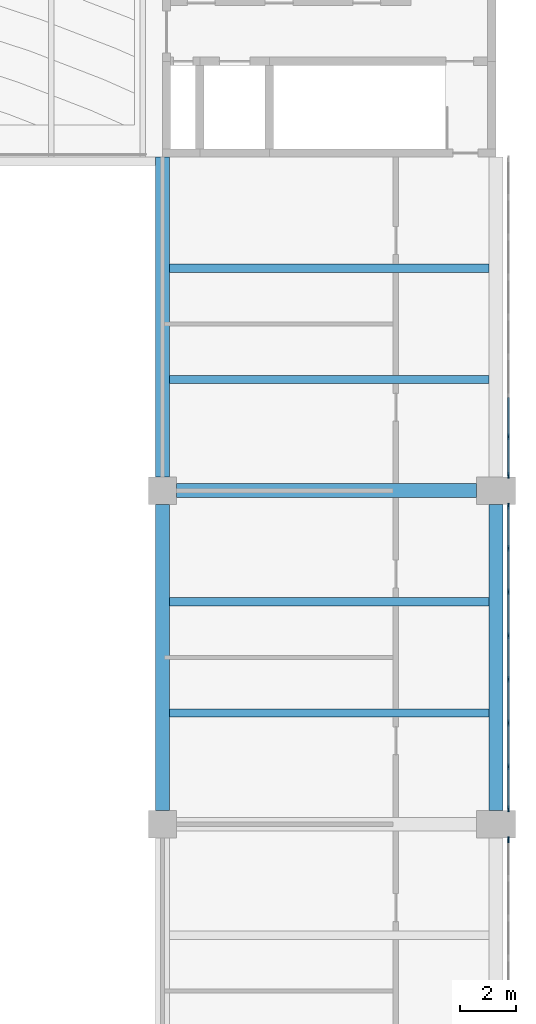
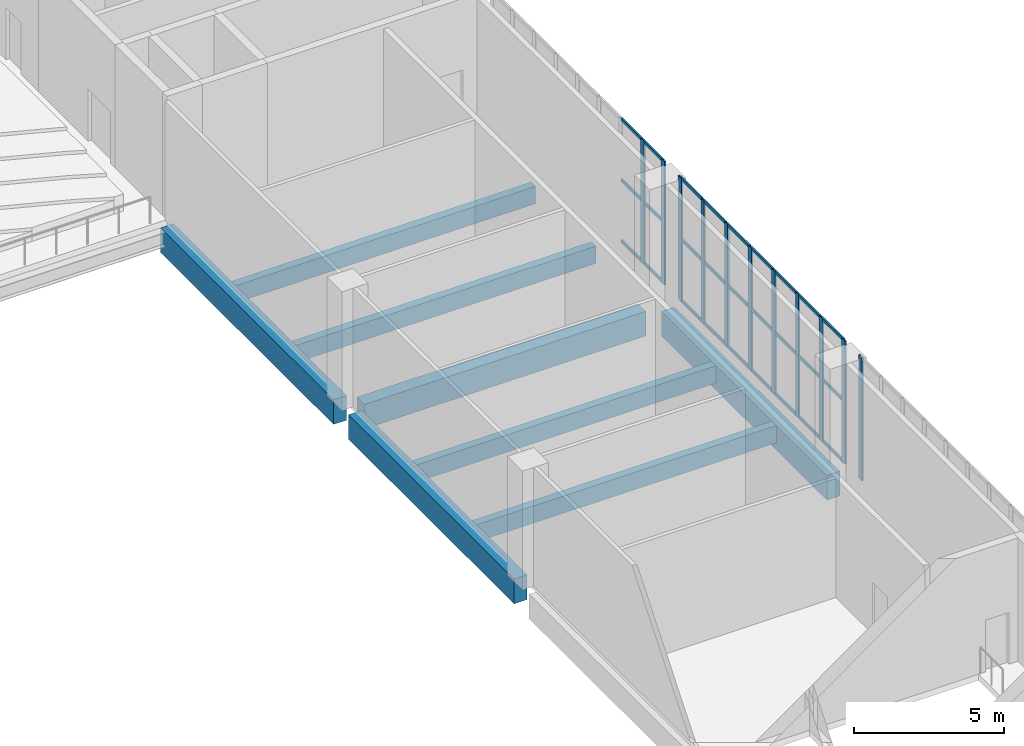
# One storey, part 27 of 69: 38 members, 8 beams, 3 elements without a shape of their own.
"""IFC4 building model written with IfcOpenShell, lengths in metres."""

from ifc_helpers import new_model, si_unit, direction, frame, origin, origin_2d, place, context, subcontext, project, spatial, rectangle, extrude, material, layer, layer_set, material_profile, profile_set, type_object, element, aggregate, save


model = new_model("IFC4")

# Units and contexts
model_context = context("Model", 3, precision=1e-05, world=origin(), true_north=direction((0.0, 1.0)))
body_context = subcontext(model_context, "Body", "Model", "MODEL_VIEW")
ifc_project = project(units=[si_unit("LENGTHUNIT", "METRE"), si_unit("AREAUNIT", "SQUARE_METRE"), si_unit("VOLUMEUNIT", "CUBIC_METRE"), si_unit("PLANEANGLEUNIT", "RADIAN"), si_unit("MASSUNIT", "GRAM", prefix="KILO")], contexts=[model_context])

# Site, building, storey
site_placement = place(None, origin())
site = spatial("IfcSite", under=ifc_project, at=site_placement, CompositionType="ELEMENT")
building_placement = place(site_placement, origin())
building = spatial("IfcBuilding", under=site, at=building_placement, Name="Lilac Gate Convention Centre", CompositionType="ELEMENT")
storey_placement = place(building_placement, frame((0.0, 0.0, 12.0)))
storey = spatial("IfcBuildingStorey", under=building, at=storey_placement, Name="L02", CompositionType="ELEMENT", Elevation=12.0)

# Curtain wall, member
ifc_material_1 = material(Name="Aluminium framed double glazing", Category="aluminium")
ifc_layer = layer(ifc_material_1, 0.199951171875)
ifc_layer_set = layer_set([ifc_layer], Name="Aluminium framed double glazing")
curtain_wall_type = type_object("IfcCurtainWallType", Name="Unitised curtain wall 1500", PredefinedType="NOTDEFINED", material=ifc_layer_set)
curtain_wall_1_placement = place(storey_placement, origin())
curtain_wall_1 = element("IfcCurtainWall", 1, at=curtain_wall_1_placement, inside=storey, type_object=curtain_wall_type, Name="Curtain wall HE L02 7", PredefinedType="NOTDEFINED")
ifc_material_2 = material(Name="Aluminium alloy 6063", Category="aluminium")
ifc_material_profile_1 = material_profile(ifc_material_2, rectangle(XDim=0.06005859375, YDim=0.219970703125, at=origin_2d()), Name="Curtain wall mullion 60 x 220")
ifc_profile_set_1 = profile_set([ifc_material_profile_1], Name="Aluminium alloy 6063")
member_type_1 = type_object("IfcMemberType", Name="Curtain wall mullion 60 x 220", PredefinedType="MULLION", material=ifc_profile_set_1)
member_1_placement = place(storey_placement, frame((90.449951171875, 125.43994140625, 0.0), z_axis=(0.0, 0.0, 1.0), x_axis=(-1.0, 0.0, 0.0)))
member_1 = element("IfcMember", 2, at=member_1_placement, type_object=member_type_1, Name="CW mullion 9", PredefinedType="MULLION", context=body_context, shape_type="SweptSolid", body=[
    extrude(rectangle(XDim=0.06005859375, YDim=0.219970703125, at=origin_2d()), origin(), (0.0, 0.0, 1.0), 5.0),
])
aggregate(curtain_wall_1, [member_1])

# Curtain wall, members
curtain_wall_2_placement = place(storey_placement, origin())
curtain_wall_2 = element("IfcCurtainWall", 3, at=curtain_wall_2_placement, inside=storey, type_object=curtain_wall_type, Name="Curtain wall HE L02 8", PredefinedType="NOTDEFINED")
member_2_placement = place(storey_placement, frame((90.449951171875, 126.56005859375, 0.0), z_axis=(0.0, 0.0, 1.0), x_axis=(-1.0, 0.0, 0.0)))
member_2 = element("IfcMember", 4, at=member_2_placement, type_object=member_type_1, Name="CW mullion 1", PredefinedType="MULLION", context=body_context, shape_type="SweptSolid", body=[
    extrude(rectangle(XDim=0.06005859375, YDim=0.219970703125, at=origin_2d()), origin(), (0.0, 0.0, 1.0), 5.0),
])
member_3_placement = place(storey_placement, frame((90.449951171875, 128.071533203125, 0.0), z_axis=(0.0, 0.0, 1.0), x_axis=(-1.0, 0.0, 0.0)))
member_3 = element("IfcMember", 5, at=member_3_placement, type_object=member_type_1, Name="CW mullion 2", PredefinedType="MULLION", context=body_context, shape_type="SweptSolid", body=[
    extrude(rectangle(XDim=0.06005859375, YDim=0.219970703125, at=origin_2d()), origin(), (0.0, 0.0, 1.0), 5.0),
])
member_4_placement = place(storey_placement, frame((90.449951171875, 129.642822265625, 0.0), z_axis=(0.0, 0.0, 1.0), x_axis=(-1.0, 0.0, 0.0)))
member_4 = element("IfcMember", 6, at=member_4_placement, type_object=member_type_1, Name="CW mullion 3", PredefinedType="MULLION", context=body_context, shape_type="SweptSolid", body=[
    extrude(rectangle(XDim=0.06005859375, YDim=0.219970703125, at=origin_2d()), origin(), (0.0, 0.0, 1.0), 5.0),
])
member_5_placement = place(storey_placement, frame((90.449951171875, 131.21435546875, 0.0), z_axis=(0.0, 0.0, 1.0), x_axis=(-1.0, 0.0, 0.0)))
member_5 = element("IfcMember", 7, at=member_5_placement, type_object=member_type_1, Name="CW mullion 4", PredefinedType="MULLION", context=body_context, shape_type="SweptSolid", body=[
    extrude(rectangle(XDim=0.06005859375, YDim=0.219970703125, at=origin_2d()), origin(), (0.0, 0.0, 1.0), 5.0),
])
member_6_placement = place(storey_placement, frame((90.449951171875, 132.78564453125, 0.0), z_axis=(0.0, 0.0, 1.0), x_axis=(-1.0, 0.0, 0.0)))
member_6 = element("IfcMember", 8, at=member_6_placement, type_object=member_type_1, Name="CW mullion 5", PredefinedType="MULLION", context=body_context, shape_type="SweptSolid", body=[
    extrude(rectangle(XDim=0.06005859375, YDim=0.219970703125, at=origin_2d()), origin(), (0.0, 0.0, 1.0), 5.0),
])
member_7_placement = place(storey_placement, frame((90.449951171875, 134.357177734375, 0.0), z_axis=(0.0, 0.0, 1.0), x_axis=(-1.0, 0.0, 0.0)))
member_7 = element("IfcMember", 9, at=member_7_placement, type_object=member_type_1, Name="CW mullion 6", PredefinedType="MULLION", context=body_context, shape_type="SweptSolid", body=[
    extrude(rectangle(XDim=0.06005859375, YDim=0.219970703125, at=origin_2d()), origin(), (0.0, 0.0, 1.0), 5.0),
])
member_8_placement = place(storey_placement, frame((90.449951171875, 135.928466796875, 0.0), z_axis=(0.0, 0.0, 1.0), x_axis=(-1.0, 0.0, 0.0)))
member_8 = element("IfcMember", 10, at=member_8_placement, type_object=member_type_1, Name="CW mullion 7", PredefinedType="MULLION", context=body_context, shape_type="SweptSolid", body=[
    extrude(rectangle(XDim=0.06005859375, YDim=0.219970703125, at=origin_2d()), origin(), (0.0, 0.0, 1.0), 5.0),
])
member_9_placement = place(storey_placement, frame((90.449951171875, 137.43994140625, 0.0), z_axis=(0.0, 0.0, 1.0), x_axis=(-1.0, 0.0, 0.0)))
member_9 = element("IfcMember", 11, at=member_9_placement, type_object=member_type_1, Name="CW mullion 8", PredefinedType="MULLION", context=body_context, shape_type="SweptSolid", body=[
    extrude(rectangle(XDim=0.06005859375, YDim=0.219970703125, at=origin_2d()), origin(), (0.0, 0.0, 1.0), 5.0),
])

curtain_wall_3_placement = place(storey_placement, origin())
curtain_wall_3 = element("IfcCurtainWall", 12, at=curtain_wall_3_placement, inside=storey, type_object=curtain_wall_type, Name="Curtain wall HE L02 9", PredefinedType="NOTDEFINED")
member_10_placement = place(storey_placement, frame((90.449951171875, 138.56005859375, 0.0), z_axis=(0.0, 0.0, 1.0), x_axis=(-1.0, 0.0, 0.0)))
member_10 = element("IfcMember", 13, at=member_10_placement, type_object=member_type_1, Name="CW mullion 1", PredefinedType="MULLION", context=body_context, shape_type="SweptSolid", body=[
    extrude(rectangle(XDim=0.06005859375, YDim=0.219970703125, at=origin_2d()), origin(), (0.0, 0.0, 1.0), 5.0),
])
member_11_placement = place(storey_placement, frame((90.449951171875, 139.9375, 0.0), z_axis=(0.0, 0.0, 1.0), x_axis=(-1.0, 0.0, 0.0)))
member_11 = element("IfcMember", 14, at=member_11_placement, type_object=member_type_1, Name="CW mullion 2", PredefinedType="MULLION", context=body_context, shape_type="SweptSolid", body=[
    extrude(rectangle(XDim=0.06005859375, YDim=0.219970703125, at=origin_2d()), origin(), (0.0, 0.0, 1.0), 5.0),
])

# Member
ifc_material_profile_2 = material_profile(ifc_material_2, rectangle(XDim=0.06005859375, YDim=0.1201171875, at=origin_2d()), Name="Curtain wall transom 60 x 120")
ifc_profile_set_2 = profile_set([ifc_material_profile_2], Name="Aluminium alloy 6063")
member_type_2 = type_object("IfcMemberType", Name="Curtain wall transom 60 x 120", PredefinedType="USERDEFINED", material=ifc_profile_set_2)
member_12_placement = place(storey_placement, frame((90.449951171875, 126.56005859375, 0.030029296875), z_axis=(0.0, 1.0, 0.0), x_axis=(-1.0, 0.0, 0.0)))
member_12 = element("IfcMember", 15, at=member_12_placement, type_object=member_type_2, Name="CW transom 1.1", ObjectType="TRANSOM", PredefinedType="USERDEFINED", context=body_context, shape_type="SweptSolid", body=[
    extrude(rectangle(XDim=0.06005859375, YDim=0.1201171875, at=origin_2d()), origin(), (0.0, 0.0, 1.0), 1.4814453125),
])

member_13_placement = place(storey_placement, frame((90.449951171875, 126.56005859375, 2.5), z_axis=(0.0, 1.0, 0.0), x_axis=(-1.0, 0.0, 0.0)))
member_13 = element("IfcMember", 16, at=member_13_placement, type_object=member_type_2, Name="CW transom 1.2", ObjectType="TRANSOM", PredefinedType="USERDEFINED", context=body_context, shape_type="SweptSolid", body=[
    extrude(rectangle(XDim=0.06005859375, YDim=0.1201171875, at=origin_2d()), origin(), (0.0, 0.0, 1.0), 1.4814453125),
])

member_14_placement = place(storey_placement, frame((90.449951171875, 126.56005859375, 4.969970703125), z_axis=(0.0, 1.0, 0.0), x_axis=(-1.0, 0.0, 0.0)))
member_14 = element("IfcMember", 17, at=member_14_placement, type_object=member_type_2, Name="CW transom 1.3", ObjectType="TRANSOM", PredefinedType="USERDEFINED", context=body_context, shape_type="SweptSolid", body=[
    extrude(rectangle(XDim=0.06005859375, YDim=0.1201171875, at=origin_2d()), origin(), (0.0, 0.0, 1.0), 1.4814453125),
])

member_15_placement = place(storey_placement, frame((90.449951171875, 128.101318359375, 0.030029296875), z_axis=(0.0, 1.0, 0.0), x_axis=(-1.0, 0.0, 0.0)))
member_15 = element("IfcMember", 18, at=member_15_placement, type_object=member_type_2, Name="CW transom 2.1", ObjectType="TRANSOM", PredefinedType="USERDEFINED", context=body_context, shape_type="SweptSolid", body=[
    extrude(rectangle(XDim=0.06005859375, YDim=0.1201171875, at=origin_2d()), origin(), (0.0, 0.0, 1.0), 1.511474609375),
])

member_16_placement = place(storey_placement, frame((90.449951171875, 128.101318359375, 2.5), z_axis=(0.0, 1.0, 0.0), x_axis=(-1.0, 0.0, 0.0)))
member_16 = element("IfcMember", 19, at=member_16_placement, type_object=member_type_2, Name="CW transom 2.2", ObjectType="TRANSOM", PredefinedType="USERDEFINED", context=body_context, shape_type="SweptSolid", body=[
    extrude(rectangle(XDim=0.06005859375, YDim=0.1201171875, at=origin_2d()), origin(), (0.0, 0.0, 1.0), 1.511474609375),
])

member_17_placement = place(storey_placement, frame((90.449951171875, 128.101318359375, 4.969970703125), z_axis=(0.0, 1.0, 0.0), x_axis=(-1.0, 0.0, 0.0)))
member_17 = element("IfcMember", 20, at=member_17_placement, type_object=member_type_2, Name="CW transom 2.3", ObjectType="TRANSOM", PredefinedType="USERDEFINED", context=body_context, shape_type="SweptSolid", body=[
    extrude(rectangle(XDim=0.06005859375, YDim=0.1201171875, at=origin_2d()), origin(), (0.0, 0.0, 1.0), 1.511474609375),
])

member_18_placement = place(storey_placement, frame((90.449951171875, 129.6728515625, 0.030029296875), z_axis=(0.0, 1.0, 0.0), x_axis=(-1.0, 0.0, 0.0)))
member_18 = element("IfcMember", 21, at=member_18_placement, type_object=member_type_2, Name="CW transom 3.1", ObjectType="TRANSOM", PredefinedType="USERDEFINED", context=body_context, shape_type="SweptSolid", body=[
    extrude(rectangle(XDim=0.06005859375, YDim=0.1201171875, at=origin_2d()), origin(), (0.0, 0.0, 1.0), 1.511474609375),
])

member_19_placement = place(storey_placement, frame((90.449951171875, 129.6728515625, 2.5), z_axis=(0.0, 1.0, 0.0), x_axis=(-1.0, 0.0, 0.0)))
member_19 = element("IfcMember", 22, at=member_19_placement, type_object=member_type_2, Name="CW transom 3.2", ObjectType="TRANSOM", PredefinedType="USERDEFINED", context=body_context, shape_type="SweptSolid", body=[
    extrude(rectangle(XDim=0.06005859375, YDim=0.1201171875, at=origin_2d()), origin(), (0.0, 0.0, 1.0), 1.511474609375),
])

member_20_placement = place(storey_placement, frame((90.449951171875, 129.6728515625, 4.969970703125), z_axis=(0.0, 1.0, 0.0), x_axis=(-1.0, 0.0, 0.0)))
member_20 = element("IfcMember", 23, at=member_20_placement, type_object=member_type_2, Name="CW transom 3.3", ObjectType="TRANSOM", PredefinedType="USERDEFINED", context=body_context, shape_type="SweptSolid", body=[
    extrude(rectangle(XDim=0.06005859375, YDim=0.1201171875, at=origin_2d()), origin(), (0.0, 0.0, 1.0), 1.511474609375),
])

member_21_placement = place(storey_placement, frame((90.449951171875, 131.244384765625, 0.030029296875), z_axis=(0.0, 1.0, 0.0), x_axis=(-1.0, 0.0, 0.0)))
member_21 = element("IfcMember", 24, at=member_21_placement, type_object=member_type_2, Name="CW transom 4.1", ObjectType="TRANSOM", PredefinedType="USERDEFINED", context=body_context, shape_type="SweptSolid", body=[
    extrude(rectangle(XDim=0.06005859375, YDim=0.1201171875, at=origin_2d()), origin(), (0.0, 0.0, 1.0), 1.51123046875),
])

member_22_placement = place(storey_placement, frame((90.449951171875, 131.244384765625, 2.5), z_axis=(0.0, 1.0, 0.0), x_axis=(-1.0, 0.0, 0.0)))
member_22 = element("IfcMember", 25, at=member_22_placement, type_object=member_type_2, Name="CW transom 4.2", ObjectType="TRANSOM", PredefinedType="USERDEFINED", context=body_context, shape_type="SweptSolid", body=[
    extrude(rectangle(XDim=0.06005859375, YDim=0.1201171875, at=origin_2d()), origin(), (0.0, 0.0, 1.0), 1.51123046875),
])

member_23_placement = place(storey_placement, frame((90.449951171875, 131.244384765625, 4.969970703125), z_axis=(0.0, 1.0, 0.0), x_axis=(-1.0, 0.0, 0.0)))
member_23 = element("IfcMember", 26, at=member_23_placement, type_object=member_type_2, Name="CW transom 4.3", ObjectType="TRANSOM", PredefinedType="USERDEFINED", context=body_context, shape_type="SweptSolid", body=[
    extrude(rectangle(XDim=0.06005859375, YDim=0.1201171875, at=origin_2d()), origin(), (0.0, 0.0, 1.0), 1.51123046875),
])

member_24_placement = place(storey_placement, frame((90.449951171875, 132.815673828125, 0.030029296875), z_axis=(0.0, 1.0, 0.0), x_axis=(-1.0, 0.0, 0.0)))
member_24 = element("IfcMember", 27, at=member_24_placement, type_object=member_type_2, Name="CW transom 5.1", ObjectType="TRANSOM", PredefinedType="USERDEFINED", context=body_context, shape_type="SweptSolid", body=[
    extrude(rectangle(XDim=0.06005859375, YDim=0.1201171875, at=origin_2d()), origin(), (0.0, 0.0, 1.0), 1.511474609375),
])

member_25_placement = place(storey_placement, frame((90.449951171875, 132.815673828125, 2.5), z_axis=(0.0, 1.0, 0.0), x_axis=(-1.0, 0.0, 0.0)))
member_25 = element("IfcMember", 28, at=member_25_placement, type_object=member_type_2, Name="CW transom 5.2", ObjectType="TRANSOM", PredefinedType="USERDEFINED", context=body_context, shape_type="SweptSolid", body=[
    extrude(rectangle(XDim=0.06005859375, YDim=0.1201171875, at=origin_2d()), origin(), (0.0, 0.0, 1.0), 1.511474609375),
])

member_26_placement = place(storey_placement, frame((90.449951171875, 132.815673828125, 4.969970703125), z_axis=(0.0, 1.0, 0.0), x_axis=(-1.0, 0.0, 0.0)))
member_26 = element("IfcMember", 29, at=member_26_placement, type_object=member_type_2, Name="CW transom 5.3", ObjectType="TRANSOM", PredefinedType="USERDEFINED", context=body_context, shape_type="SweptSolid", body=[
    extrude(rectangle(XDim=0.06005859375, YDim=0.1201171875, at=origin_2d()), origin(), (0.0, 0.0, 1.0), 1.511474609375),
])

member_27_placement = place(storey_placement, frame((90.449951171875, 134.38720703125, 0.030029296875), z_axis=(0.0, 1.0, 0.0), x_axis=(-1.0, 0.0, 0.0)))
member_27 = element("IfcMember", 30, at=member_27_placement, type_object=member_type_2, Name="CW transom 6.1", ObjectType="TRANSOM", PredefinedType="USERDEFINED", context=body_context, shape_type="SweptSolid", body=[
    extrude(rectangle(XDim=0.06005859375, YDim=0.1201171875, at=origin_2d()), origin(), (0.0, 0.0, 1.0), 1.511474609375),
])

member_28_placement = place(storey_placement, frame((90.449951171875, 134.38720703125, 2.5), z_axis=(0.0, 1.0, 0.0), x_axis=(-1.0, 0.0, 0.0)))
member_28 = element("IfcMember", 31, at=member_28_placement, type_object=member_type_2, Name="CW transom 6.2", ObjectType="TRANSOM", PredefinedType="USERDEFINED", context=body_context, shape_type="SweptSolid", body=[
    extrude(rectangle(XDim=0.06005859375, YDim=0.1201171875, at=origin_2d()), origin(), (0.0, 0.0, 1.0), 1.511474609375),
])

member_29_placement = place(storey_placement, frame((90.449951171875, 134.38720703125, 4.969970703125), z_axis=(0.0, 1.0, 0.0), x_axis=(-1.0, 0.0, 0.0)))
member_29 = element("IfcMember", 32, at=member_29_placement, type_object=member_type_2, Name="CW transom 6.3", ObjectType="TRANSOM", PredefinedType="USERDEFINED", context=body_context, shape_type="SweptSolid", body=[
    extrude(rectangle(XDim=0.06005859375, YDim=0.1201171875, at=origin_2d()), origin(), (0.0, 0.0, 1.0), 1.511474609375),
])

member_30_placement = place(storey_placement, frame((90.449951171875, 135.95849609375, 0.030029296875), z_axis=(0.0, 1.0, 0.0), x_axis=(-1.0, 0.0, 0.0)))
member_30 = element("IfcMember", 33, at=member_30_placement, type_object=member_type_2, Name="CW transom 7.1", ObjectType="TRANSOM", PredefinedType="USERDEFINED", context=body_context, shape_type="SweptSolid", body=[
    extrude(rectangle(XDim=0.06005859375, YDim=0.1201171875, at=origin_2d()), origin(), (0.0, 0.0, 1.0), 1.4814453125),
])

member_31_placement = place(storey_placement, frame((90.449951171875, 135.95849609375, 2.5), z_axis=(0.0, 1.0, 0.0), x_axis=(-1.0, 0.0, 0.0)))
member_31 = element("IfcMember", 34, at=member_31_placement, type_object=member_type_2, Name="CW transom 7.2", ObjectType="TRANSOM", PredefinedType="USERDEFINED", context=body_context, shape_type="SweptSolid", body=[
    extrude(rectangle(XDim=0.06005859375, YDim=0.1201171875, at=origin_2d()), origin(), (0.0, 0.0, 1.0), 1.4814453125),
])

member_32_placement = place(storey_placement, frame((90.449951171875, 135.95849609375, 4.969970703125), z_axis=(0.0, 1.0, 0.0), x_axis=(-1.0, 0.0, 0.0)))
member_32 = element("IfcMember", 35, at=member_32_placement, type_object=member_type_2, Name="CW transom 7.3", ObjectType="TRANSOM", PredefinedType="USERDEFINED", context=body_context, shape_type="SweptSolid", body=[
    extrude(rectangle(XDim=0.06005859375, YDim=0.1201171875, at=origin_2d()), origin(), (0.0, 0.0, 1.0), 1.4814453125),
])

aggregate(curtain_wall_2, [member_2, member_3, member_4, member_5, member_6, member_7, member_8, member_9, member_12, member_13, member_14, member_15, member_16, member_17, member_18, member_19, member_20, member_21, member_22, member_23, member_24, member_25, member_26, member_27, member_28, member_29, member_30, member_31, member_32])

member_33_placement = place(storey_placement, frame((90.449951171875, 138.56005859375, 0.030029296875), z_axis=(0.0, 1.0, 0.0), x_axis=(-1.0, 0.0, 0.0)))
member_33 = element("IfcMember", 36, at=member_33_placement, type_object=member_type_2, Name="CW transom 1.1", ObjectType="TRANSOM", PredefinedType="USERDEFINED", context=body_context, shape_type="SweptSolid", body=[
    extrude(rectangle(XDim=0.06005859375, YDim=0.1201171875, at=origin_2d()), origin(), (0.0, 0.0, 1.0), 1.347412109375),
])

member_34_placement = place(storey_placement, frame((90.449951171875, 138.56005859375, 2.5), z_axis=(0.0, 1.0, 0.0), x_axis=(-1.0, 0.0, 0.0)))
member_34 = element("IfcMember", 37, at=member_34_placement, type_object=member_type_2, Name="CW transom 1.2", ObjectType="TRANSOM", PredefinedType="USERDEFINED", context=body_context, shape_type="SweptSolid", body=[
    extrude(rectangle(XDim=0.06005859375, YDim=0.1201171875, at=origin_2d()), origin(), (0.0, 0.0, 1.0), 1.347412109375),
])

member_35_placement = place(storey_placement, frame((90.449951171875, 138.56005859375, 4.969970703125), z_axis=(0.0, 1.0, 0.0), x_axis=(-1.0, 0.0, 0.0)))
member_35 = element("IfcMember", 38, at=member_35_placement, type_object=member_type_2, Name="CW transom 1.3", ObjectType="TRANSOM", PredefinedType="USERDEFINED", context=body_context, shape_type="SweptSolid", body=[
    extrude(rectangle(XDim=0.06005859375, YDim=0.1201171875, at=origin_2d()), origin(), (0.0, 0.0, 1.0), 1.347412109375),
])

member_36_placement = place(storey_placement, frame((90.449951171875, 139.967529296875, 0.030029296875), z_axis=(0.0, 1.0, 0.0), x_axis=(-1.0, 0.0, 0.0)))
member_36 = element("IfcMember", 39, at=member_36_placement, type_object=member_type_2, Name="CW transom 2.1", ObjectType="TRANSOM", PredefinedType="USERDEFINED", context=body_context, shape_type="SweptSolid", body=[
    extrude(rectangle(XDim=0.06005859375, YDim=0.1201171875, at=origin_2d()), origin(), (0.0, 0.0, 1.0), 1.37744140625),
])

member_37_placement = place(storey_placement, frame((90.449951171875, 139.967529296875, 2.5), z_axis=(0.0, 1.0, 0.0), x_axis=(-1.0, 0.0, 0.0)))
member_37 = element("IfcMember", 40, at=member_37_placement, type_object=member_type_2, Name="CW transom 2.2", ObjectType="TRANSOM", PredefinedType="USERDEFINED", context=body_context, shape_type="SweptSolid", body=[
    extrude(rectangle(XDim=0.06005859375, YDim=0.1201171875, at=origin_2d()), origin(), (0.0, 0.0, 1.0), 1.37744140625),
])

member_38_placement = place(storey_placement, frame((90.449951171875, 139.967529296875, 4.969970703125), z_axis=(0.0, 1.0, 0.0), x_axis=(-1.0, 0.0, 0.0)))
member_38 = element("IfcMember", 41, at=member_38_placement, type_object=member_type_2, Name="CW transom 2.3", ObjectType="TRANSOM", PredefinedType="USERDEFINED", context=body_context, shape_type="SweptSolid", body=[
    extrude(rectangle(XDim=0.06005859375, YDim=0.1201171875, at=origin_2d()), origin(), (0.0, 0.0, 1.0), 1.37744140625),
])

aggregate(curtain_wall_3, [member_10, member_11, member_33, member_34, member_35, member_36, member_37, member_38])

# Beams
ifc_material_3 = material(Name="Concrete C40", Category="concrete")
ifc_material_profile_3 = material_profile(ifc_material_3, rectangle(XDim=0.5, YDim=1.0, at=origin_2d()), Name="RC 500x1000")
ifc_profile_set_3 = profile_set([ifc_material_profile_3], Name="Concrete C40")
beam_type_1 = type_object("IfcBeamType", Name="Primary beam 500x1000 C40", PredefinedType="BEAM", material=ifc_profile_set_3)
beam_1_placement = place(storey_placement, frame((78.5, 138.0, -0.75), z_axis=(1.0, 0.0, 0.0), x_axis=(0.0, 1.0, 0.0)))
element("IfcBeam", 42, at=beam_1_placement, inside=storey, type_object=beam_type_1, Name="RB1 L02 7/K-8/K", PredefinedType="BEAM", context=body_context, shape_type="SweptSolid", body=[
    extrude(rectangle(XDim=0.5, YDim=1.0, at=origin_2d()), origin(), (0.0, 0.0, 1.0), 10.800048828125),
])
beam_2_placement = place(storey_placement, frame((78.0, 126.5, -0.75), z_axis=(0.0, 1.0, 0.0), x_axis=(-1.0, 0.0, 0.0)))
element("IfcBeam", 43, at=beam_2_placement, inside=storey, type_object=beam_type_1, Name="RB1 L02 7/J-7/K", PredefinedType="BEAM", context=body_context, shape_type="SweptSolid", body=[
    extrude(rectangle(XDim=0.5, YDim=1.0, at=origin_2d()), origin(), (0.0, 0.0, 1.0), 11.0),
])
beam_3_placement = place(storey_placement, frame((78.0, 138.5, -0.75), z_axis=(0.0, 1.0, 0.0), x_axis=(-1.0, 0.0, 0.0)))
element("IfcBeam", 44, at=beam_3_placement, inside=storey, type_object=beam_type_1, Name="RB1 L02 7/K-7/L", PredefinedType="BEAM", context=body_context, shape_type="SweptSolid", body=[
    extrude(rectangle(XDim=0.5, YDim=1.0, at=origin_2d()), origin(), (0.0, 0.0, 1.0), 11.5),
])
beam_4_placement = place(storey_placement, frame((90.0, 126.5, -0.75), z_axis=(0.0, 1.0, 0.0), x_axis=(-1.0, 0.0, 0.0)))
element("IfcBeam", 45, at=beam_4_placement, inside=storey, type_object=beam_type_1, Name="RB1 L02 8/J-8/K", PredefinedType="BEAM", context=body_context, shape_type="SweptSolid", body=[
    extrude(rectangle(XDim=0.5, YDim=1.0, at=origin_2d()), origin(), (0.0, 0.0, 1.0), 11.0),
])
ifc_material_profile_4 = material_profile(ifc_material_3, rectangle(XDim=0.300048828125, YDim=0.699951171875, at=origin_2d()), Name="RC 300x700")
ifc_profile_set_4 = profile_set([ifc_material_profile_4], Name="Concrete C40")
beam_type_2 = type_object("IfcBeamType", Name="Secondary beam 300x700 C40", PredefinedType="BEAM", material=ifc_profile_set_4)
for number, where, z_axis, x_axis, name in (
    (46, (78.25, 130.0, -0.60009765625), (1.0, 0.0, 0.0), (0.0, 1.0, 0.0), "RB2 L02 bay 7/J"),
    (47, (78.25, 134.0, -0.60009765625), (1.0, 0.0, 0.0), (0.0, 1.0, 0.0), "RB2 L02 bay 7/J"),
    (48, (78.25, 142.0, -0.60009765625), (1.0, 0.0, 0.0), (0.0, 1.0, 0.0), "RB2 L02 bay 7/K"),
    (49, (78.25, 146.0, -0.60009765625), (1.0, 0.0, 0.0), (0.0, 1.0, 0.0), "RB2 L02 bay 7/K"),
):
    element("IfcBeam", number, at=place(storey_placement, frame(where, z_axis=z_axis, x_axis=x_axis)), inside=storey, type_object=beam_type_2, Name=name, PredefinedType="BEAM", context=body_context, shape_type="SweptSolid", body=[
        extrude(rectangle(XDim=0.300048828125, YDim=0.699951171875, at=origin_2d()), origin(), (0.0, 0.0, 1.0), 11.5),
    ])

save(model, "model.ifc")
